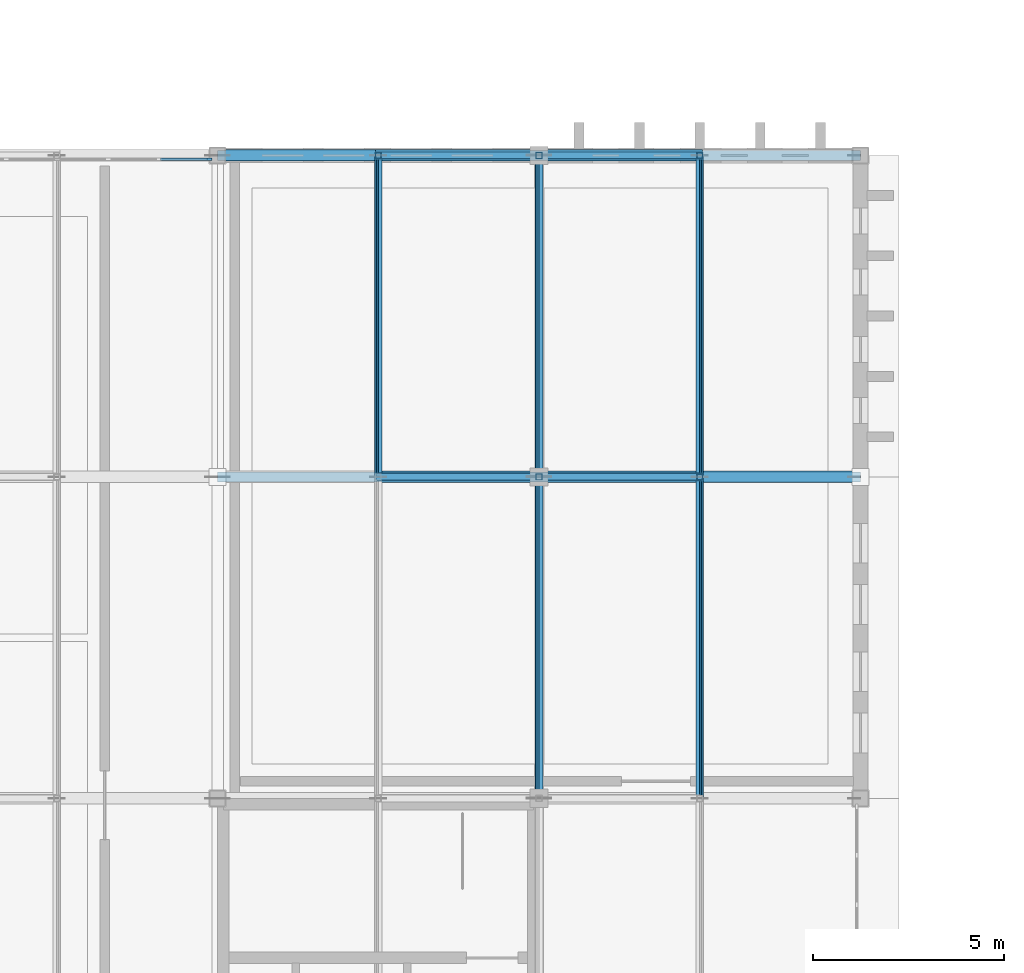
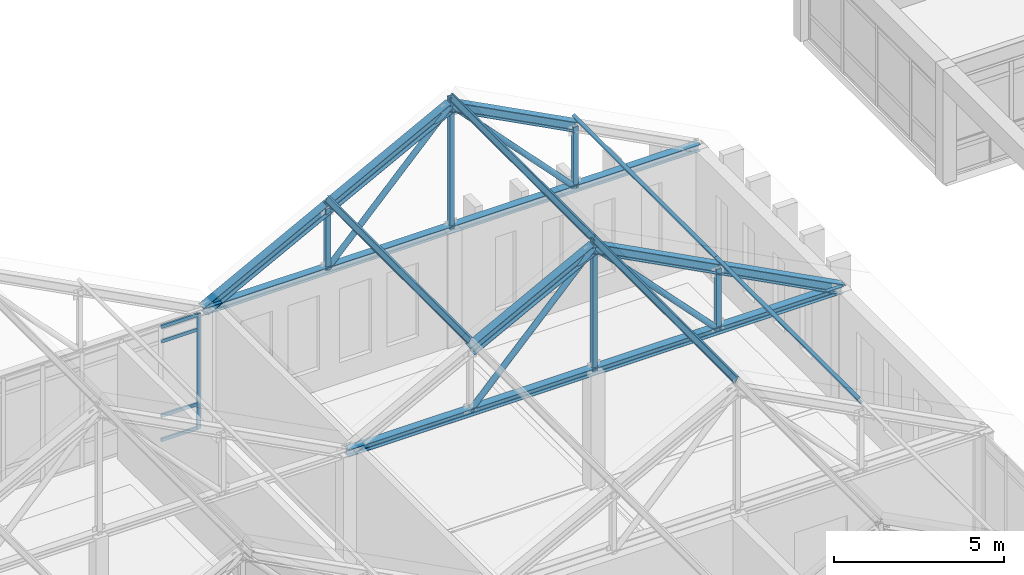
# One storey, part 84 of 192: 27 members, 1 element without a shape of its own.
"""IFC4 building model written with IfcOpenShell, lengths in metres."""

from ifc_helpers import new_model, si_unit, direction, frame, origin, origin_2d, place, context, subcontext, project, spatial, rectangle, hollow_rectangle, hollow_circle, i_section, extrude, material, layer, layer_set, material_profile, profile_set, type_object, element, aggregate, save


model = new_model("IFC4")

# Units and contexts
model_context = context("Model", 3, precision=1e-05, world=origin(), true_north=direction((0.0, 1.0)))
body_context = subcontext(model_context, "Body", "Model", "MODEL_VIEW")
ifc_project = project(units=[si_unit("LENGTHUNIT", "METRE"), si_unit("AREAUNIT", "SQUARE_METRE"), si_unit("VOLUMEUNIT", "CUBIC_METRE"), si_unit("PLANEANGLEUNIT", "RADIAN"), si_unit("MASSUNIT", "GRAM", prefix="KILO")], contexts=[model_context])

# Site, building, storey
site_placement = place(None, origin())
site = spatial("IfcSite", under=ifc_project, at=site_placement, CompositionType="ELEMENT")
building_placement = place(site_placement, origin())
building = spatial("IfcBuilding", under=site, at=building_placement, Name="Kveldsbrygga Polytechnic", CompositionType="ELEMENT")
storey_placement = place(building_placement, frame((0.0, 0.0, 5.43994140625)))
storey = spatial("IfcBuildingStorey", under=building, at=storey_placement, Name="L01", CompositionType="ELEMENT", Elevation=5.43994140625)

# Curtain wall, members
ifc_material_1 = material(Name="Anodised aluminium AW-6060", Category="aluminium")
ifc_layer = layer(ifc_material_1, 0.179931640625)
ifc_layer_set = layer_set([ifc_layer], Name="Anodised aluminium AW-6060")
curtain_wall_type = type_object("IfcCurtainWallType", Name="CW-CONC-A", PredefinedType="USERDEFINED", material=ifc_layer_set)
curtain_wall_placement = place(storey_placement, origin())
curtain_wall = element("IfcCurtainWall", 1, at=curtain_wall_placement, inside=storey, type_object=curtain_wall_type, Name="Curtain Wall CW-L01-X-01-13", ObjectType="UNITISED CURTAIN WALL", PredefinedType="USERDEFINED")
ifc_material_profile_1 = material_profile(ifc_material_1, rectangle(XDim=0.06005859375, YDim=0.139892578125, at=origin_2d()), Name="ALU 60x140")
ifc_profile_set_1 = profile_set([ifc_material_profile_1], Name="Anodised aluminium AW-6060")
member_type_1 = type_object("IfcMemberType", Name="CW-MUL-140", PredefinedType="MULLION", material=ifc_profile_set_1)
member_1_placement = place(storey_placement, frame((16.5849609375, 109.10009765625, 0.0), z_axis=(0.0, 0.0, 1.0), x_axis=(0.0, 1.0, 0.0)))
member_1 = element("IfcMember", 2, at=member_1_placement, type_object=member_type_1, Name="CW-01 mullion 7", PredefinedType="MULLION", context=body_context, shape_type="SweptSolid", body=[
    extrude(rectangle(XDim=0.06005859375, YDim=0.139892578125, at=origin_2d()), origin(), (0.0, 0.0, 1.0), 4.1201171875),
])
ifc_material_profile_2 = material_profile(ifc_material_1, rectangle(XDim=0.06005859375, YDim=0.1201171875, at=origin_2d()), Name="ALU 60x120")
ifc_profile_set_2 = profile_set([ifc_material_profile_2], Name="Anodised aluminium AW-6060")
member_type_2 = type_object("IfcMemberType", Name="CW-TRN-120", PredefinedType="USERDEFINED", material=ifc_profile_set_2)
member_2_placement = place(storey_placement, frame((15.310791015625, 109.10009765625, 0.030029296875), z_axis=(1.0, 0.0, 0.0), x_axis=(0.0, 1.0, 0.0)))
member_2 = element("IfcMember", 3, at=member_2_placement, type_object=member_type_2, Name="CW-01 transom 6.1", ObjectType="TRANSOM", PredefinedType="USERDEFINED", context=body_context, shape_type="SweptSolid", body=[
    extrude(rectangle(XDim=0.06005859375, YDim=0.1201171875, at=origin_2d()), origin(), (0.0, 0.0, 1.0), 1.244140625),
])
member_3_placement = place(storey_placement, frame((15.310791015625, 109.10009765625, 0.900146484375), z_axis=(1.0, 0.0, 0.0), x_axis=(0.0, 1.0, 0.0)))
member_3 = element("IfcMember", 4, at=member_3_placement, type_object=member_type_2, Name="CW-01 transom 6.2", ObjectType="TRANSOM", PredefinedType="USERDEFINED", context=body_context, shape_type="SweptSolid", body=[
    extrude(rectangle(XDim=0.06005859375, YDim=0.1201171875, at=origin_2d()), origin(), (0.0, 0.0, 1.0), 1.244140625),
])
member_4_placement = place(storey_placement, frame((15.310791015625, 109.10009765625, 3.570068359375), z_axis=(1.0, 0.0, 0.0), x_axis=(0.0, 1.0, 0.0)))
member_4 = element("IfcMember", 5, at=member_4_placement, type_object=member_type_2, Name="CW-01 transom 6.3", ObjectType="TRANSOM", PredefinedType="USERDEFINED", context=body_context, shape_type="SweptSolid", body=[
    extrude(rectangle(XDim=0.06005859375, YDim=0.1201171875, at=origin_2d()), origin(), (0.0, 0.0, 1.0), 1.244140625),
])
member_5_placement = place(storey_placement, frame((15.310791015625, 109.10009765625, 4.090087890625), z_axis=(1.0, 0.0, 0.0), x_axis=(0.0, 1.0, 0.0)))
member_5 = element("IfcMember", 6, at=member_5_placement, type_object=member_type_2, Name="CW-01 transom 6.4", ObjectType="TRANSOM", PredefinedType="USERDEFINED", context=body_context, shape_type="SweptSolid", body=[
    extrude(rectangle(XDim=0.06005859375, YDim=0.1201171875, at=origin_2d()), origin(), (0.0, 0.0, 1.0), 1.244140625),
])
aggregate(curtain_wall, [member_1, member_2, member_3, member_4, member_5])

# Members
ifc_material_2 = material(Name="Steel S355", Category="steel")
ifc_material_profile_3 = material_profile(ifc_material_2, i_section(OverallWidth=0.110107421875, OverallDepth=0.219970703125, WebThickness=0.005859375, FlangeThickness=0.00927734375, FilletRadius=0.011962890625, at=origin_2d()), Name="IPE 220")
ifc_profile_set_3 = profile_set([ifc_material_profile_3], Name="Steel S355")
member_type_3 = type_object("IfcMemberType", Name="PRL-IPE220", PredefinedType="PURLIN", material=ifc_profile_set_3)
for number, where, z_axis, x_axis, name in (
    (7, (25.199951171875, 92.39990234375, 8.83056640625), (0.0, 1.0, 0.0), (-0.885831335765, 0.0, 0.464007375564), "Roof Purlin V1N2-PRL-2-2"),
    (8, (29.39990234375, 92.39990234375, 6.630615234375), (0.0, 1.0, 0.0), (-0.885831335765, 0.0, -0.464007375564), "Roof Purlin V1N2-PRL-2-3"),
):
    element("IfcMember", number, at=place(storey_placement, frame(where, z_axis=z_axis, x_axis=x_axis)), inside=storey, type_object=member_type_3, Name=name, PredefinedType="PURLIN", context=body_context, shape_type="SweptSolid", body=[
        extrude(i_section(OverallWidth=0.110107421875, OverallDepth=0.219970703125, WebThickness=0.005859375, FlangeThickness=0.00927734375, FilletRadius=0.011962890625, at=origin_2d()), origin(), (0.0, 0.0, 1.0), 8.400146484375),
    ])
for number, where, z_axis, x_axis, name in (
    (9, (21.0, 100.800048828125, 6.630615234375), (0.0, 1.0, 0.0), (-0.885831335765, 0.0, 0.464007375564), "Roof Purlin V1N2-PRL-3-1"),
    (10, (25.199951171875, 100.800048828125, 8.83056640625), (0.0, 1.0, 0.0), (-0.885831335765, 0.0, 0.464007375564), "Roof Purlin V1N2-PRL-3-2"),
    (11, (29.39990234375, 100.800048828125, 6.630615234375), (0.0, 1.0, 0.0), (-0.885831335765, 0.0, -0.464007375564), "Roof Purlin V1N2-PRL-3-3"),
):
    element("IfcMember", number, at=place(storey_placement, frame(where, z_axis=z_axis, x_axis=x_axis)), inside=storey, type_object=member_type_3, Name=name, PredefinedType="PURLIN", context=body_context, shape_type="SweptSolid", body=[
        extrude(i_section(OverallWidth=0.110107421875, OverallDepth=0.219970703125, WebThickness=0.005859375, FlangeThickness=0.00927734375, FilletRadius=0.011962890625, at=origin_2d()), origin(), (0.0, 0.0, 1.0), 8.39990234375),
    ])
ifc_material_profile_4 = material_profile(ifc_material_2, i_section(OverallWidth=0.260009765625, OverallDepth=0.25, WebThickness=0.007568359375, FlangeThickness=0.012451171875, FilletRadius=0.02392578125, at=origin_2d()), Name="HEA 260")
ifc_profile_set_4 = profile_set([ifc_material_profile_4], Name="Steel S355")
member_type_4 = type_object("IfcMemberType", Name="TR-BOT-HEA260", PredefinedType="CHORD", material=ifc_profile_set_4)
for number, where, z_axis, x_axis, name in (
    (12, (16.800048828125, 100.800048828125, 4.1201171875), (1.0, 0.0, 0.0), (0.0, 1.0, 0.0), "Truss Bottom Chord V1N2-T03-BC-1"),
    (13, (16.800048828125, 109.199951171875, 4.1201171875), (1.0, 0.0, 0.0), (0.0, 1.0, 0.0), "Truss Bottom Chord V1N2-T04-BC-1"),
):
    element("IfcMember", number, at=place(storey_placement, frame(where, z_axis=z_axis, x_axis=x_axis)), inside=storey, type_object=member_type_4, Name=name, PredefinedType="CHORD", context=body_context, shape_type="SweptSolid", body=[
        extrude(i_section(OverallWidth=0.260009765625, OverallDepth=0.25, WebThickness=0.007568359375, FlangeThickness=0.012451171875, FilletRadius=0.02392578125, at=origin_2d()), origin(), (0.0, 0.0, 1.0), 16.800048828125),
    ])
ifc_material_profile_5 = material_profile(ifc_material_2, hollow_circle(Radius=0.096923828125, WallThickness=0.010009765625, at=origin_2d()), Name="CHS 193.7x10.0")
ifc_profile_set_5 = profile_set([ifc_material_profile_5], Name="Steel S355")
member_type_5 = type_object("IfcMemberType", Name="TR-DIAG-CHS194", PredefinedType="BRACE", material=ifc_profile_set_5)
for number, where, z_axis, x_axis, name in (
    (14, (21.0, 100.800048828125, 4.1201171875), (0.690479565127, 0.0, 0.723351899245), (0.0, 1.0, 0.0), "Truss Diagonal V1N2-T03-DG-2"),
    (15, (25.199951171875, 100.800048828125, 8.52001953125), (0.690479565127, 0.0, -0.723351899245), (0.0, 1.0, 0.0), "Truss Diagonal V1N2-T03-DG-3"),
    (16, (21.0, 109.199951171875, 4.1201171875), (0.690479565127, 0.0, 0.723351899245), (0.0, 1.0, 0.0), "Truss Diagonal V1N2-T04-DG-2"),
    (17, (25.199951171875, 109.199951171875, 8.52001953125), (0.690479565127, 0.0, -0.723351899245), (0.0, 1.0, 0.0), "Truss Diagonal V1N2-T04-DG-3"),
):
    element("IfcMember", number, at=place(storey_placement, frame(where, z_axis=z_axis, x_axis=x_axis)), inside=storey, type_object=member_type_5, Name=name, PredefinedType="BRACE", context=body_context, shape_type="SweptSolid", body=[
        extrude(hollow_circle(Radius=0.096923828125, WallThickness=0.010009765625, at=origin_2d()), origin(), (0.0, 0.0, 1.0), 6.082763671875),
    ])
ifc_material_profile_6 = material_profile(ifc_material_2, hollow_rectangle(XDim=0.159912109375, YDim=0.159912109375, WallThickness=0.010009765625, at=origin_2d()), Name="SHS 160x160x10.0")
ifc_profile_set_6 = profile_set([ifc_material_profile_6], Name="Steel S355")
member_type_6 = type_object("IfcMemberType", Name="TR-POST-SHS160", PredefinedType="STRUT", material=ifc_profile_set_6)
member_6_placement = place(storey_placement, frame((25.199951171875, 100.800048828125, 4.1201171875), z_axis=(0.0, 0.0, 1.0), x_axis=(1.0, 0.0, 0.0)))
element("IfcMember", 18, at=member_6_placement, inside=storey, type_object=member_type_6, Name="Truss Vertical V1N2-T03-VT-2", PredefinedType="STRUT", context=body_context, shape_type="SweptSolid", body=[
    extrude(hollow_rectangle(XDim=0.159912109375, YDim=0.159912109375, WallThickness=0.010009765625, at=origin_2d()), origin(), (0.0, 0.0, 1.0), 4.71044921875),
])
for number, where, z_axis, x_axis, name in (
    (19, (29.39990234375, 100.800048828125, 4.1201171875), (0.0, 0.0, 1.0), (1.0, 0.0, 0.0), "Truss Vertical V1N2-T03-VT-3"),
    (20, (21.0, 109.199951171875, 4.1201171875), (0.0, 0.0, 1.0), (1.0, 0.0, 0.0), "Truss Vertical V1N2-T04-VT-1"),
):
    element("IfcMember", number, at=place(storey_placement, frame(where, z_axis=z_axis, x_axis=x_axis)), inside=storey, type_object=member_type_6, Name=name, PredefinedType="STRUT", context=body_context, shape_type="SweptSolid", body=[
        extrude(hollow_rectangle(XDim=0.159912109375, YDim=0.159912109375, WallThickness=0.010009765625, at=origin_2d()), origin(), (0.0, 0.0, 1.0), 2.199951171875),
    ])
member_7_placement = place(storey_placement, frame((25.199951171875, 109.199951171875, 4.1201171875), z_axis=(0.0, 0.0, 1.0), x_axis=(1.0, 0.0, 0.0)))
element("IfcMember", 21, at=member_7_placement, inside=storey, type_object=member_type_6, Name="Truss Vertical V1N2-T04-VT-2", PredefinedType="STRUT", context=body_context, shape_type="SweptSolid", body=[
    extrude(hollow_rectangle(XDim=0.159912109375, YDim=0.159912109375, WallThickness=0.010009765625, at=origin_2d()), origin(), (0.0, 0.0, 1.0), 4.71044921875),
])
member_8_placement = place(storey_placement, frame((29.39990234375, 109.199951171875, 4.1201171875), z_axis=(0.0, 0.0, 1.0), x_axis=(1.0, 0.0, 0.0)))
element("IfcMember", 22, at=member_8_placement, inside=storey, type_object=member_type_6, Name="Truss Vertical V1N2-T04-VT-3", PredefinedType="STRUT", context=body_context, shape_type="SweptSolid", body=[
    extrude(hollow_rectangle(XDim=0.159912109375, YDim=0.159912109375, WallThickness=0.010009765625, at=origin_2d()), origin(), (0.0, 0.0, 1.0), 2.199951171875),
])
ifc_material_profile_7 = material_profile(ifc_material_2, i_section(OverallWidth=0.300048828125, OverallDepth=0.330078125, WebThickness=0.009521484375, FlangeThickness=0.0166015625, FilletRadius=0.027099609375, at=origin_2d()), Name="HEA 340")
ifc_profile_set_7 = profile_set([ifc_material_profile_7], Name="Steel S355")
member_type_7 = type_object("IfcMemberType", Name="TR-TOP-HEA340", PredefinedType="CHORD", material=ifc_profile_set_7)
for number, where, z_axis, x_axis, name in (
    (23, (21.0, 100.800048828125, 6.320068359375), (0.885833551011, 0.0, 0.464003146437), (0.0, 1.0, 0.0), "Truss Top Chord V1N2-T03-TC-2"),
    (24, (25.199951171875, 100.800048828125, 8.52001953125), (0.885833551011, 0.0, -0.464003146437), (0.0, 1.0, 0.0), "Truss Top Chord V1N2-T03-TC-3"),
):
    element("IfcMember", number, at=place(storey_placement, frame(where, z_axis=z_axis, x_axis=x_axis)), inside=storey, type_object=member_type_7, Name=name, PredefinedType="CHORD", context=body_context, shape_type="SweptSolid", body=[
        extrude(i_section(OverallWidth=0.300048828125, OverallDepth=0.330078125, WebThickness=0.009521484375, FlangeThickness=0.0166015625, FilletRadius=0.027099609375, at=origin_2d()), origin(), (0.0, 0.0, 1.0), 4.7412109375),
    ])
member_9_placement = place(storey_placement, frame((29.39990234375, 100.800048828125, 6.320068359375), z_axis=(0.885844636633, 0.0, -0.463981982138), x_axis=(0.0, 1.0, 0.0)))
element("IfcMember", 25, at=member_9_placement, inside=storey, type_object=member_type_7, Name="Truss Top Chord V1N2-T03-TC-4", PredefinedType="CHORD", context=body_context, shape_type="SweptSolid", body=[
    extrude(i_section(OverallWidth=0.300048828125, OverallDepth=0.330078125, WebThickness=0.009521484375, FlangeThickness=0.0166015625, FilletRadius=0.027099609375, at=origin_2d()), origin(), (0.0, 0.0, 1.0), 4.741455078125),
])
for number, where, z_axis, x_axis, name in (
    (26, (16.800048828125, 109.199951171875, 4.1201171875), (0.885833551011, 0.0, 0.464003146437), (0.0, 1.0, 0.0), "Truss Top Chord V1N2-T04-TC-1"),
    (27, (21.0, 109.199951171875, 6.320068359375), (0.885833551011, 0.0, 0.464003146437), (0.0, 1.0, 0.0), "Truss Top Chord V1N2-T04-TC-2"),
    (28, (25.199951171875, 109.199951171875, 8.52001953125), (0.885833551011, 0.0, -0.464003146437), (0.0, 1.0, 0.0), "Truss Top Chord V1N2-T04-TC-3"),
):
    element("IfcMember", number, at=place(storey_placement, frame(where, z_axis=z_axis, x_axis=x_axis)), inside=storey, type_object=member_type_7, Name=name, PredefinedType="CHORD", context=body_context, shape_type="SweptSolid", body=[
        extrude(i_section(OverallWidth=0.300048828125, OverallDepth=0.330078125, WebThickness=0.009521484375, FlangeThickness=0.0166015625, FilletRadius=0.027099609375, at=origin_2d()), origin(), (0.0, 0.0, 1.0), 4.7412109375),
    ])

save(model, "model.ifc")
